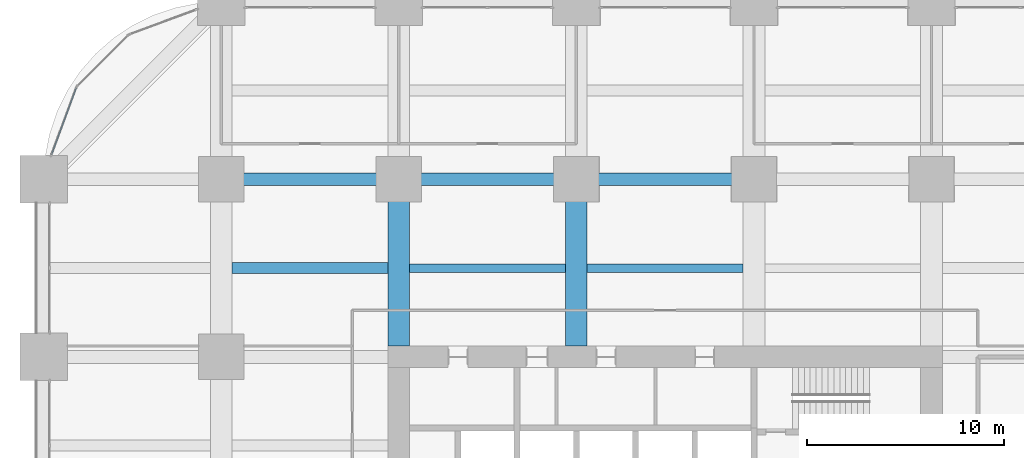
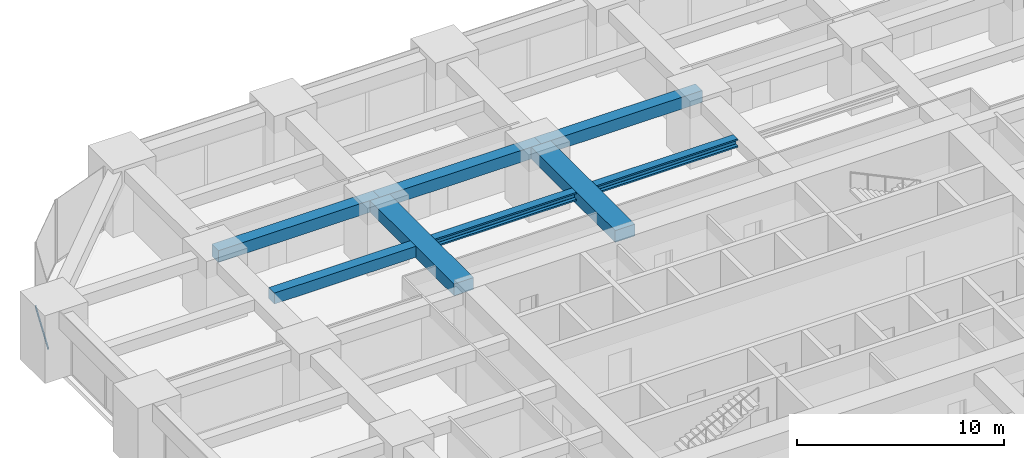
# One storey, part 26 of 45: 8 beams, 1 member, 1 element without a shape of its own.
"""IFC4 building model written with IfcOpenShell, lengths in metres."""

from ifc_helpers import new_model, si_unit, direction, frame, origin, origin_2d, place, context, subcontext, project, spatial, rectangle, hollow_rectangle, i_section, extrude, material, material_profile, profile_set, type_object, element, aggregate, save


model = new_model("IFC4")

# Units and contexts
model_context = context("Model", 3, precision=1e-05, world=origin(), true_north=direction((0.0, 1.0)))
body_context = subcontext(model_context, "Body", "Model", "MODEL_VIEW")
ifc_project = project(units=[si_unit("LENGTHUNIT", "METRE"), si_unit("AREAUNIT", "SQUARE_METRE"), si_unit("VOLUMEUNIT", "CUBIC_METRE"), si_unit("PLANEANGLEUNIT", "RADIAN"), si_unit("MASSUNIT", "GRAM", prefix="KILO")], contexts=[model_context])

# Site, building, storey
site_placement = place(None, origin())
site = spatial("IfcSite", under=ifc_project, at=site_placement, CompositionType="ELEMENT")
building_placement = place(site_placement, origin())
building = spatial("IfcBuilding", under=site, at=building_placement, Name="Zorevar Civic Tower", CompositionType="ELEMENT")
storey_placement = place(building_placement, frame((0.0, 0.0, 27.800048828125)))
storey = spatial("IfcBuildingStorey", under=building, at=storey_placement, Name="L06", CompositionType="ELEMENT", Elevation=27.800048828125)

# Beams
ifc_material_1 = material(Name="Concrete C50/60", Category="concrete")
ifc_material_profile_1 = material_profile(ifc_material_1, rectangle(XDim=1.10009765625, YDim=0.699951171875, at=origin_2d()), Name="RC 1100x700")
ifc_profile_set_1 = profile_set([ifc_material_profile_1], Name="Concrete C50/60")
beam_type_1 = type_object("IfcBeamType", Name="Beam RC 1100x700", PredefinedType="BEAM", material=ifc_profile_set_1)
for number, where, z_axis, x_axis, name in (
    (1, (18.0, 36.550048828125, 3.39990234375), (0.0, 1.0, 0.0), (-1.0, 0.0, 0.0), "Girder L07"),
    (2, (27.0, 36.550048828125, 3.39990234375), (0.0, 1.0, 0.0), (-1.0, 0.0, 0.0), "Girder L07"),
):
    element("IfcBeam", number, at=place(storey_placement, frame(where, z_axis=z_axis, x_axis=x_axis)), inside=storey, type_object=beam_type_1, Name=name, PredefinedType="BEAM", context=body_context, shape_type="SweptSolid", body=[
        extrude(rectangle(XDim=1.10009765625, YDim=0.699951171875, at=origin_2d()), origin(), (0.0, 0.0, 1.0), 8.449951171875),
    ])
ifc_material_2 = material(Name="Concrete C50/60", Category="concrete")
ifc_material_profile_2 = material_profile(ifc_material_2, rectangle(XDim=0.550048828125, YDim=0.64990234375, at=origin_2d()), Name="RC 550x650")
ifc_profile_set_2 = profile_set([ifc_material_profile_2], Name="Concrete C50/60")
beam_type_2 = type_object("IfcBeamType", Name="Beam RC 550x650", PredefinedType="BEAM", material=ifc_profile_set_2)
beam_placement = place(storey_placement, frame((9.550048828125, 40.5, 3.425048828125), z_axis=(1.0, 0.0, 0.0), x_axis=(0.0, 1.0, 0.0)))
element("IfcBeam", 3, at=beam_placement, inside=storey, type_object=beam_type_2, Name="Secondary beam L07", PredefinedType="BEAM", context=body_context, shape_type="SweptSolid", body=[
    extrude(rectangle(XDim=0.550048828125, YDim=0.64990234375, at=origin_2d()), origin(), (0.0, 0.0, 1.0), 7.89990234375),
])
ifc_material_3 = material(Name="Concrete C50/60", Category="concrete")
ifc_material_profile_3 = material_profile(ifc_material_3, rectangle(XDim=0.64990234375, YDim=0.699951171875, at=origin_2d()), Name="RC 650x700")
ifc_profile_set_3 = profile_set([ifc_material_profile_3], Name="Concrete C50/60")
beam_type_3 = type_object("IfcBeamType", Name="Beam RC 650x700", PredefinedType="BEAM", material=ifc_profile_set_3)
for number, where, z_axis, x_axis, name in (
    (4, (9.0, 45.0, 3.39990234375), (1.0, 0.0, 0.0), (0.0, 1.0, 0.0), "Girder L07"),
    (5, (18.0, 45.0, 3.39990234375), (1.0, 0.0, 0.0), (0.0, 1.0, 0.0), "Girder L07"),
    (6, (27.0, 45.0, 3.39990234375), (1.0, 0.0, 0.0), (0.0, 1.0, 0.0), "Girder L07"),
):
    element("IfcBeam", number, at=place(storey_placement, frame(where, z_axis=z_axis, x_axis=x_axis)), inside=storey, type_object=beam_type_3, Name=name, PredefinedType="BEAM", context=body_context, shape_type="SweptSolid", body=[
        extrude(rectangle(XDim=0.64990234375, YDim=0.699951171875, at=origin_2d()), origin(), (0.0, 0.0, 1.0), 9.0),
    ])

# Curtain wall, member
ifc_material_4 = material(Name="Dark grey solar-control glass in black aluminium frame", Category="aluminium")
curtain_wall_type = type_object("IfcCurtainWallType", Name="Curtain wall CW2 low zone", PredefinedType="NOTDEFINED", material=ifc_material_4)
curtain_wall_placement = place(storey_placement, origin())
curtain_wall = element("IfcCurtainWall", 7, at=curtain_wall_placement, inside=storey, type_object=curtain_wall_type, Name="CW2 L06", PredefinedType="NOTDEFINED")
ifc_material_5 = material(Name="Aluminium, black anodised", Category="aluminium")
ifc_material_profile_4 = material_profile(ifc_material_5, hollow_rectangle(XDim=0.06005859375, YDim=0.14990234375, WallThickness=0.00390625, at=origin_2d()), Name="AL 150x60x4")
ifc_profile_set_4 = profile_set([ifc_material_profile_4], Name="Aluminium, black anodised")
member_type = type_object("IfcMemberType", Name="CW2 transom AL 150x60x4", PredefinedType="USERDEFINED", material=ifc_profile_set_4)
member_placement = place(storey_placement, frame((1.6533203125, 49.636474609375, 0.030029296875), z_axis=(-0.346672169799, -0.93798635741, 0.0), x_axis=(0.93798635741, -0.346672169799, 0.0)))
member = element("IfcMember", 8, at=member_placement, type_object=member_type, Name="CW2 sill transom", ObjectType="TRANSOM", PredefinedType="USERDEFINED", context=body_context, shape_type="SweptSolid", body=[
    extrude(hollow_rectangle(XDim=0.06005859375, YDim=0.14990234375, WallThickness=0.00390625, at=origin_2d()), origin(), (0.0, 0.0, 1.0), 3.603515625),
])
aggregate(curtain_wall, [member])

# Beams
ifc_material_6 = material(Name="Steel S460M (HISTAR 460)", Category="steel")
ifc_material_profile_5 = material_profile(ifc_material_6, i_section(OverallWidth=0.431884765625, OverallDepth=0.498046875, WebThickness=0.0556640625, FlangeThickness=0.0888671875, FilletRadius=0.014892578125, at=origin_2d()), Name="HD 400x744")
ifc_profile_set_5 = profile_set([ifc_material_profile_5], Name="Steel S460M (HISTAR 460)")
beam_type_4 = type_object("IfcBeamType", Name="Core bay beam HD 400x744", PredefinedType="BEAM", material=ifc_profile_set_5)
for number, where, z_axis, x_axis, name in (
    (9, (18.550048828125, 40.5, 3.5009765625), (1.0, 0.0, 0.0), (0.0, 1.0, 0.0), "Secondary beam L07"),
    (10, (27.550048828125, 40.5, 3.5009765625), (1.0, 0.0, 0.0), (0.0, 1.0, 0.0), "Secondary beam L07"),
):
    element("IfcBeam", number, at=place(storey_placement, frame(where, z_axis=z_axis, x_axis=x_axis)), inside=storey, type_object=beam_type_4, Name=name, PredefinedType="BEAM", context=body_context, shape_type="SweptSolid", body=[
        extrude(i_section(OverallWidth=0.431884765625, OverallDepth=0.498046875, WebThickness=0.0556640625, FlangeThickness=0.0888671875, FilletRadius=0.014892578125, at=origin_2d()), origin(), (0.0, 0.0, 1.0), 7.89990234375),
    ])

save(model, "model.ifc")
